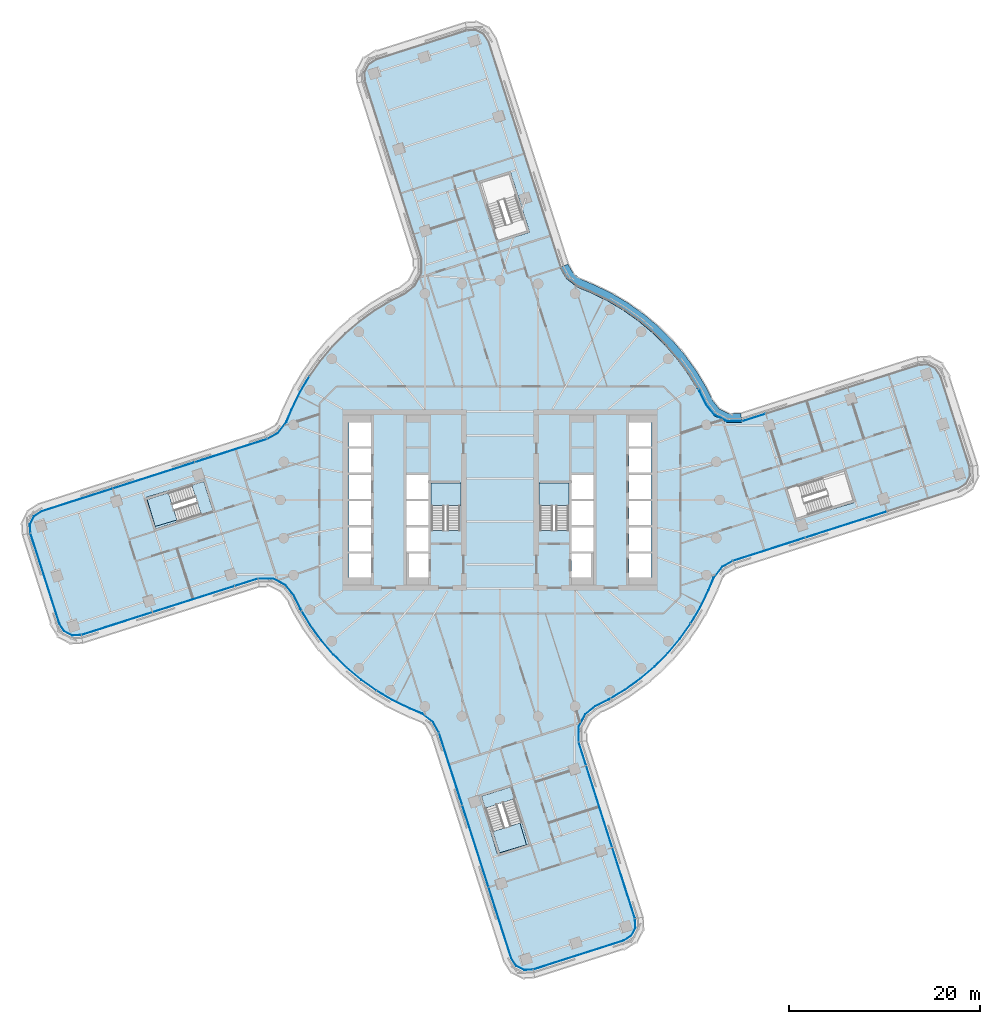
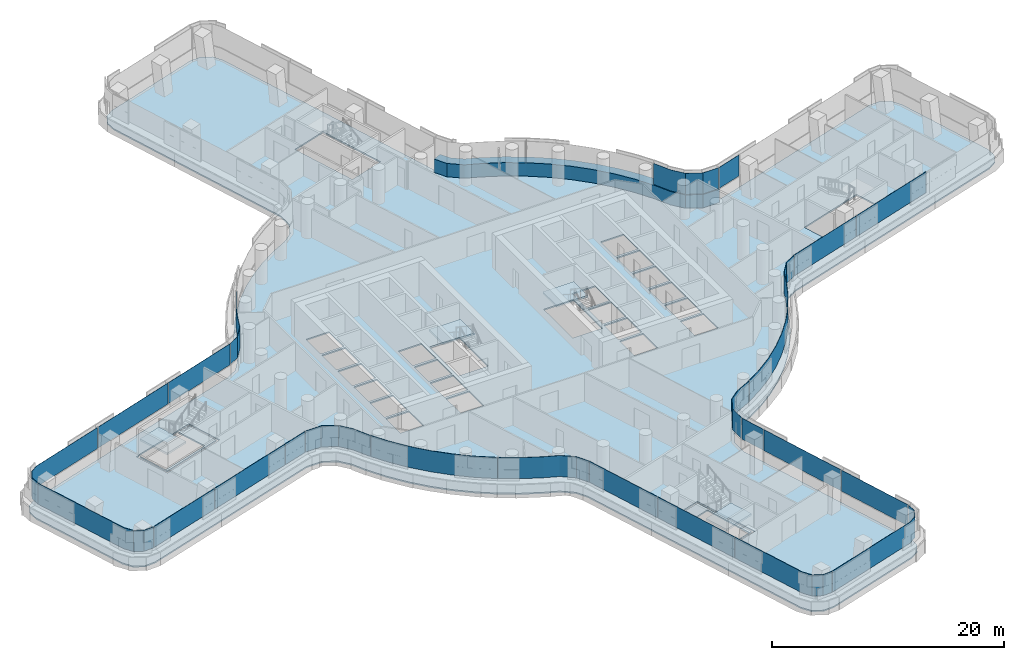
# One storey, part 16 of 30: 25 plates, 7 slabs, 1 member, 16 elements without a shape of their own.
"""IFC4 building model written with IfcOpenShell, lengths in metres."""

from ifc_helpers import new_model, si_unit, direction, frame, origin, place, context, subcontext, project, spatial, polyline, outline, extrude, material, layer, layer_set, type_object, element, aggregate, save


model = new_model("IFC4")

# Units and contexts
model_context = context("Model", 3, precision=1e-05, world=origin(), true_north=direction((0.0, 1.0)))
body_context = subcontext(model_context, "Body", "Model", "MODEL_VIEW")
ifc_project = project(units=[si_unit("LENGTHUNIT", "METRE"), si_unit("AREAUNIT", "SQUARE_METRE"), si_unit("VOLUMEUNIT", "CUBIC_METRE"), si_unit("PLANEANGLEUNIT", "RADIAN"), si_unit("MASSUNIT", "GRAM", prefix="KILO")], contexts=[model_context])

# Site, building, storey
site_placement = place(None, origin())
site = spatial("IfcSite", under=ifc_project, at=site_placement, CompositionType="ELEMENT")
building_placement = place(site_placement, origin())
building = spatial("IfcBuilding", under=site, at=building_placement, Name="Tamarind Cross Interchange Tower", CompositionType="ELEMENT")
storey_placement = place(building_placement, frame((0.0, 0.0, 98.5)))
storey = spatial("IfcBuildingStorey", under=building, at=storey_placement, Name="L23", CompositionType="ELEMENT", Elevation=98.5)

# Curtain wall, member
ifc_material_1 = material(Name="Aluminium 6063-T6", Category="aluminium")
ifc_layer_1 = layer(ifc_material_1, 0.159912109375)
ifc_layer_set_1 = layer_set([ifc_layer_1], Name="Aluminium 6063-T6")
curtain_wall_type = type_object("IfcCurtainWallType", Name="Office curtain wall, 9.0 m bays", PredefinedType="NOTDEFINED", material=ifc_layer_set_1)
curtain_wall_1_placement = place(storey_placement, origin())
curtain_wall_1 = element("IfcCurtainWall", 1, at=curtain_wall_1_placement, inside=storey, type_object=curtain_wall_type, Name="CWS-L23-02", PredefinedType="NOTDEFINED")
ifc_material_2 = material(Name="Aluminium and insulated spandrel panel", Category="aluminium")
member_type = type_object("IfcMemberType", Name="Floor-edge blade transom", PredefinedType="USERDEFINED", material=ifc_material_2)
member_placement = place(storey_placement, origin())
member = element("IfcMember", 2, at=member_placement, type_object=member_type, Name="CWT-L23-02", ObjectType="TRANSOM", PredefinedType="USERDEFINED", context=body_context, shape_type="SweptSolid", body=[
    extrude(outline(polyline([(25.348388671875, 8.137451171875), (23.718017578125, 8.1376953125), (22.364013671875, 8.845458984375), (21.503173828125, 9.9306640625), (20.791015625, 11.367431640625), (19.78125, 13.045654296875), (18.636474609375, 14.634521484375), (17.3642578125, 16.12353515625), (15.973388671875, 17.50244140625), (14.4736328125, 18.76171875), (12.874755859375, 19.892822265625), (11.188232421875, 20.88818359375), (9.421875, 21.7421875), (8.11767578125, 22.278076171875), (6.9208984375, 23.21044921875), (6.284912109375, 24.342529296875), (7.1142578125, 24.7041015625), (7.616943359375, 23.80908203125), (8.57373046875, 23.063720703125), (9.789306640625, 22.564208984375), (11.613525390625, 21.68212890625), (13.3642578125, 20.64892578125), (15.023681640625, 19.474853515625), (16.580810546875, 18.167724609375), (18.0244140625, 16.736572265625), (19.344970703125, 15.19091796875), (20.533203125, 13.54150390625), (21.581298828125, 11.7998046875), (22.267333984375, 10.41552734375), (22.9501953125, 9.554443359375), (23.939208984375, 9.03759765625), (25.20849609375, 9.037353515625), (25.348388671875, 8.137451171875)])), origin(), (0.0, 0.0, 1.0), 1.39990234375),
])

# Slabs
ifc_material_3 = material(Name="Concrete C35", Category="concrete")
ifc_layer_2 = layer(ifc_material_3, 0.139892578125)
ifc_layer_set_2 = layer_set([ifc_layer_2], Name="Concrete C35")
slab_type_1 = type_object("IfcSlabType", Name="Composite slab 140 Concrete C35", PredefinedType="FLOOR", material=ifc_layer_set_2)
slab_1_placement = place(storey_placement, frame((0.0, 0.0, -0.139892578125)))
element("IfcSlab", 3, at=slab_1_placement, inside=storey, type_object=slab_type_1, Name="Floor slab L23", PredefinedType="FLOOR", context=body_context, shape_type="SweptSolid", body=[
    extrude(outline(polyline([(23.41015625, -7.153076171875), (24.463134765625, -6.561279296875), (48.0693359375, 1.000244140625), (48.93994140625, 1.560546875), (49.413818359375, 2.48095703125), (49.364013671875, 3.51513671875), (46.3134765625, 13.03857421875), (45.753173828125, 13.9091796875), (44.832763671875, 14.3828125), (43.798583984375, 14.3330078125), (25.3017578125, 8.4375), (23.791748046875, 8.4375), (22.559326171875, 9.081787109375), (21.7578125, 10.09228515625), (21.054443359375, 11.511474609375), (20.031982421875, 13.2109375), (18.87255859375, 14.820068359375), (17.584228515625, 16.327880859375), (16.17578125, 17.72412109375), (14.656982421875, 18.99951171875), (13.0380859375, 20.14501953125), (11.329833984375, 21.15283203125), (9.54443359375, 22.01611328125), (8.26953125, 22.539794921875), (7.153076171875, 23.41015625), (6.561279296875, 24.463134765625), (-1.000244140625, 48.0693359375), (-1.560546875, 48.93994140625), (-2.48095703125, 49.413818359375), (-3.51513671875, 49.364013671875), (-13.03857421875, 46.3134765625), (-13.9091796875, 45.753173828125), (-14.3828125, 44.832763671875), (-14.3330078125, 43.798583984375), (-8.4375, 25.3017578125), (-8.4375, 23.791748046875), (-9.081787109375, 22.559326171875), (-10.09228515625, 21.7578125), (-11.511474609375, 21.054443359375), (-13.2109375, 20.031982421875), (-14.820068359375, 18.87255859375), (-16.327880859375, 17.584228515625), (-17.72412109375, 16.17578125), (-18.99951171875, 14.656982421875), (-20.14501953125, 13.0380859375), (-21.15283203125, 11.329833984375), (-22.01611328125, 9.54443359375), (-22.539794921875, 8.26953125), (-23.41015625, 7.153076171875), (-24.463134765625, 6.561279296875), (-48.0693359375, -1.000244140625), (-48.93994140625, -1.560546875), (-49.413818359375, -2.48095703125), (-49.364013671875, -3.51513671875), (-46.3134765625, -13.03857421875), (-45.753173828125, -13.9091796875), (-44.832763671875, -14.3828125), (-43.798583984375, -14.3330078125), (-25.3017578125, -8.4375), (-23.791748046875, -8.4375), (-22.559326171875, -9.081787109375), (-21.7578125, -10.09228515625), (-21.054443359375, -11.511474609375), (-20.031982421875, -13.2109375), (-18.87255859375, -14.820068359375), (-17.584228515625, -16.327880859375), (-16.17578125, -17.72412109375), (-14.656982421875, -18.99951171875), (-13.0380859375, -20.14501953125), (-11.329833984375, -21.15283203125), (-9.54443359375, -22.01611328125), (-8.26953125, -22.539794921875), (-7.153076171875, -23.41015625), (-6.561279296875, -24.463134765625), (1.000244140625, -48.0693359375), (1.560546875, -48.93994140625), (2.48095703125, -49.413818359375), (3.51513671875, -49.364013671875), (13.03857421875, -46.3134765625), (13.9091796875, -45.753173828125), (14.3828125, -44.832763671875), (14.3330078125, -43.798583984375), (8.4375, -25.3017578125), (8.4375, -23.791748046875), (9.081787109375, -22.559326171875), (10.09228515625, -21.7578125), (11.511474609375, -21.054443359375), (13.2109375, -20.031982421875), (14.820068359375, -18.87255859375), (16.327880859375, -17.584228515625), (17.72412109375, -16.17578125), (18.99951171875, -14.656982421875), (20.14501953125, -13.0380859375), (21.15283203125, -11.329833984375), (22.01611328125, -9.54443359375), (22.539794921875, -8.26953125), (23.41015625, -7.153076171875)]), holes=[polyline([(-13.5, -8.125), (-15.800048828125, -8.125), (-15.800048828125, -5.625), (-13.5, -5.625), (-13.5, -8.125)]), polyline([(-13.5, -5.375), (-15.800048828125, -5.375), (-15.800048828125, -2.875), (-13.5, -2.875), (-13.5, -5.375)]), polyline([(-7.5, -5.375), (-9.800048828125, -5.375), (-9.800048828125, -2.875), (-7.5, -2.875), (-7.5, -5.375)]), polyline([(-30.892578125, 2.19189453125), (-30.83154296875, 2.001220703125), (-29.855224609375, -1.046142578125), (-29.794189453125, -1.236572265625), (-36.1748046875, -3.280517578125), (-36.23583984375, -3.090087890625), (-37.212158203125, -0.04248046875), (-37.273193359375, 0.14794921875), (-37.00146484375, 0.23486328125), (-37.018798828125, 0.292236328125), (-33.8681640625, 1.238525390625), (-30.892578125, 2.19189453125)]), polyline([(-13.5, -2.625), (-15.800048828125, -2.625), (-15.800048828125, -0.125), (-13.5, -0.125), (-13.5, -2.625)]), polyline([(-7.5, -2.625), (-9.800048828125, -2.625), (-9.800048828125, -0.125), (-7.5, -0.125), (-7.5, -2.625)]), polyline([(-13.5, 0.125), (-15.800048828125, 0.125), (-15.800048828125, 2.625), (-13.5, 2.625), (-13.5, 0.125)]), polyline([(-7.5, 0.125), (-9.800048828125, 0.125), (-9.800048828125, 2.625), (-7.5, 2.625), (-7.5, 0.125)]), polyline([(-13.5, 2.875), (-15.800048828125, 2.875), (-15.800048828125, 5.375), (-13.5, 5.375), (-13.5, 2.875)]), polyline([(-15.800048828125, 5.625), (-15.800048828125, 8.125), (-13.5, 8.125), (-13.5, 5.625), (-15.800048828125, 5.625)]), polyline([(-2.19189453125, -30.892578125), (-2.001220703125, -30.83154296875), (1.046142578125, -29.855224609375), (1.236572265625, -29.794189453125), (3.280517578125, -36.1748046875), (3.090087890625, -36.23583984375), (0.04248046875, -37.212158203125), (-0.14794921875, -37.273193359375), (-0.23486328125, -37.00146484375), (-0.292236328125, -37.018798828125), (-1.238525390625, -33.8681640625), (-2.19189453125, -30.892578125)]), polyline([(-9.800048828125, -8.125), (-9.800048828125, -5.625), (-7.5, -5.625), (-7.5, -8.125), (-9.800048828125, -8.125)]), polyline([(9.800048828125, -2.875), (9.800048828125, -5.375), (7.5, -5.375), (7.5, -2.875), (9.800048828125, -2.875)]), polyline([(-4.199951171875, 1.800048828125), (-4.199951171875, -3.18798828125), (-7.14990234375, -3.18798828125), (-7.14990234375, 1.800048828125), (-4.199951171875, 1.800048828125)]), polyline([(7.14990234375, 1.800048828125), (7.14990234375, -3.18798828125), (4.199951171875, -3.18798828125), (4.199951171875, 1.800048828125), (7.14990234375, 1.800048828125)]), polyline([(3.10693359375, 28.035400390625), (2.91650390625, 27.974609375), (-0.131103515625, 26.998291015625), (-0.321533203125, 26.937255859375), (-2.365478515625, 33.31787109375), (-2.1748046875, 33.37890625), (0.87255859375, 34.35498046875), (1.06298828125, 34.416015625), (1.150146484375, 34.14404296875), (1.1552734375, 34.1455078125), (1.238525390625, 33.8681640625), (3.10693359375, 28.035400390625)]), polyline([(7.5, -5.625), (9.800048828125, -5.625), (9.800048828125, -8.125), (7.5, -8.125), (7.5, -5.625)]), polyline([(15.800048828125, -5.625), (15.800048828125, -8.125), (13.5, -8.125), (13.5, -5.625), (15.800048828125, -5.625)]), polyline([(15.800048828125, -2.875), (15.800048828125, -5.375), (13.5, -5.375), (13.5, -2.875), (15.800048828125, -2.875)]), polyline([(7.5, -0.125), (9.800048828125, -0.125), (9.800048828125, -2.625), (7.5, -2.625), (7.5, -0.125)]), polyline([(13.5, -0.125), (15.800048828125, -0.125), (15.800048828125, -2.625), (13.5, -2.625), (13.5, -0.125)]), polyline([(30.892578125, -2.19189453125), (30.83154296875, -2.001220703125), (29.855224609375, 1.046142578125), (29.794189453125, 1.236572265625), (36.1748046875, 3.280517578125), (36.23583984375, 3.090087890625), (37.212158203125, 0.04248046875), (37.273193359375, -0.14794921875), (37.00146484375, -0.23486328125), (37.018798828125, -0.292236328125), (33.8681640625, -1.238525390625), (30.892578125, -2.19189453125)]), polyline([(7.5, 2.625), (9.800048828125, 2.625), (9.800048828125, 0.125), (7.5, 0.125), (7.5, 2.625)]), polyline([(15.800048828125, 2.625), (15.800048828125, 0.125), (13.5, 0.125), (13.5, 2.625), (15.800048828125, 2.625)]), polyline([(15.800048828125, 5.375), (15.800048828125, 2.875), (13.5, 2.875), (13.5, 5.375), (15.800048828125, 5.375)]), polyline([(15.800048828125, 8.125), (15.800048828125, 5.625), (13.5, 5.625), (13.5, 8.125), (15.800048828125, 8.125)])]), origin(), (0.0, 0.0, 1.0), 0.139892578125),
])
slab_2_placement = place(storey_placement, frame((0.0, 0.0, -0.139892578125)))
element("IfcSlab", 4, at=slab_2_placement, inside=storey, type_object=slab_type_1, Name="Floor slab L23", PredefinedType="FLOOR", context=body_context, shape_type="SweptSolid", body=[
    extrude(outline(polyline([(-37.021484375, 0.018310546875), (-36.04541015625, -3.029052734375), (-30.0458984375, -1.107177734375), (-31.02197265625, 1.940185546875), (-32.271484375, 1.5400390625), (-31.34716796875, -1.345458984375), (-36.098388671875, -2.7724609375), (-36.944091796875, 0.043212890625), (-37.021484375, 0.018310546875)])), origin(), (0.0, 0.0, 1.0), 0.139892578125),
])
slab_3_placement = place(storey_placement, frame((0.0, 0.0, -0.139892578125)))
element("IfcSlab", 5, at=slab_3_placement, inside=storey, type_object=slab_type_1, Name="Floor slab L23", PredefinedType="FLOOR", context=body_context, shape_type="SweptSolid", body=[
    extrude(outline(polyline([(-0.018310546875, -37.021484375), (3.029052734375, -36.04541015625), (1.107177734375, -30.0458984375), (-1.940185546875, -31.02197265625), (-1.5400390625, -32.271484375), (1.345458984375, -31.34716796875), (2.7724609375, -36.098388671875), (-0.043212890625, -36.944091796875), (-0.018310546875, -37.021484375)])), origin(), (0.0, 0.0, 1.0), 0.139892578125),
])

# Stair, slab
ifc_material_4 = material(Name="Exit stair")
stair_type = type_object("IfcStairType", Name="Exit stair", PredefinedType="HALF_TURN_STAIR", material=ifc_material_4)
stair_1_placement = place(storey_placement, origin())
stair_1 = element("IfcStair", 6, at=stair_1_placement, inside=storey, type_object=stair_type, Name="L23 exit stair ST1", PredefinedType="HALF_TURN_STAIR")
ifc_material_5 = material(Name="Concrete C40", Category="concrete")
ifc_layer_3 = layer(ifc_material_5, 0.199951171875)
ifc_layer_set_3 = layer_set([ifc_layer_3], Name="Concrete C40")
slab_type_2 = type_object("IfcSlabType", Name="Stair landing", PredefinedType="LANDING", material=ifc_layer_set_3)
slab_4_placement = place(storey_placement, frame((0.0, 0.0, 1.675048828125)))
slab_4 = element("IfcSlab", 7, at=slab_4_placement, type_object=slab_type_2, Name="ST1 landing 1", PredefinedType="LANDING", context=body_context, shape_type="SweptSolid", body=[
    extrude(outline(polyline([(-4.10009765625, -0.60009765625), (-4.10009765625, 1.800048828125), (-7.199951171875, 1.800048828125), (-7.199951171875, -0.60009765625), (-4.10009765625, -0.60009765625)])), origin(), (0.0, 0.0, 1.0), 0.199951171875),
])
aggregate(stair_1, [slab_4])

stair_2_placement = place(storey_placement, origin())
stair_2 = element("IfcStair", 8, at=stair_2_placement, inside=storey, type_object=stair_type, Name="L23 exit stair ST2", PredefinedType="HALF_TURN_STAIR")
slab_5_placement = place(storey_placement, frame((0.0, 0.0, 1.675048828125)))
slab_5 = element("IfcSlab", 9, at=slab_5_placement, type_object=slab_type_2, Name="ST2 landing 1", PredefinedType="LANDING", context=body_context, shape_type="SweptSolid", body=[
    extrude(outline(polyline([(7.199951171875, -0.60009765625), (7.199951171875, 1.800048828125), (4.10009765625, 1.800048828125), (4.10009765625, -0.60009765625), (7.199951171875, -0.60009765625)])), origin(), (0.0, 0.0, 1.0), 0.199951171875),
])
aggregate(stair_2, [slab_5])

stair_3_placement = place(storey_placement, origin())
stair_3 = element("IfcStair", 10, at=stair_3_placement, inside=storey, type_object=stair_type, Name="L23 exit stair ST5", PredefinedType="HALF_TURN_STAIR")
slab_6_placement = place(storey_placement, frame((0.0, 0.0, 1.675048828125)))
slab_6 = element("IfcSlab", 11, at=slab_6_placement, type_object=slab_type_2, Name="ST5 landing 1", PredefinedType="LANDING", context=body_context, shape_type="SweptSolid", body=[
    extrude(outline(polyline([(-34.724609375, 0.754150390625), (-37.021728515625, 0.018310546875), (-36.04541015625, -3.029052734375), (-33.74853515625, -2.293212890625), (-34.724609375, 0.754150390625)])), origin(), (0.0, 0.0, 1.0), 0.199951171875),
])
aggregate(stair_3, [slab_6])

stair_4_placement = place(storey_placement, origin())
stair_4 = element("IfcStair", 12, at=stair_4_placement, inside=storey, type_object=stair_type, Name="L23 exit stair ST6", PredefinedType="HALF_TURN_STAIR")
slab_7_placement = place(storey_placement, frame((0.0, 0.0, 1.675048828125)))
slab_7 = element("IfcSlab", 13, at=slab_7_placement, type_object=slab_type_2, Name="ST6 landing 1", PredefinedType="LANDING", context=body_context, shape_type="SweptSolid", body=[
    extrude(outline(polyline([(-0.754150390625, -34.724609375), (-0.018310546875, -37.021728515625), (3.029052734375, -36.04541015625), (2.293212890625, -33.74853515625), (-0.754150390625, -34.724609375)])), origin(), (0.0, 0.0, 1.0), 0.199951171875),
])
aggregate(stair_4, [slab_7])

# Curtain wall, plate
curtain_wall_2_placement = place(storey_placement, origin())
curtain_wall_2 = element("IfcCurtainWall", 14, at=curtain_wall_2_placement, inside=storey, type_object=curtain_wall_type, Name="CWS-L23-01", PredefinedType="NOTDEFINED")
ifc_material_6 = material(Name="Laminated low-e glass 8+1.52+8", Category="glass")
ifc_layer_4 = layer(ifc_material_6, 0.028076171875)
ifc_layer_set_4 = layer_set([ifc_layer_4], Name="Laminated low-e glass 8+1.52+8")
plate_type = type_object("IfcPlateType", Name="Vision panel CW1", PredefinedType="CURTAIN_PANEL", material=ifc_layer_set_4)
plate_1_placement = place(storey_placement, frame((0.0, 0.0, 1.39990234375)))
plate_1 = element("IfcPlate", 15, at=plate_1_placement, type_object=plate_type, Name="CWP-L23-01-02", PredefinedType="CURTAIN_PANEL", context=body_context, shape_type="SweptSolid", body=[
    extrude(outline(polyline([(27.76904296875, 8.999267578125), (25.36572265625, 8.233154296875), (25.357177734375, 8.259765625), (27.760498046875, 9.02587890625), (27.76904296875, 8.999267578125)])), origin(), (0.0, 0.0, 1.0), 2.210205078125),
])
aggregate(curtain_wall_2, [plate_1])

# Plate
plate_2_placement = place(storey_placement, frame((0.0, 0.0, 1.39990234375)))
plate_2 = element("IfcPlate", 16, at=plate_2_placement, type_object=plate_type, Name="CWP-L23-02-00", PredefinedType="CURTAIN_PANEL", context=body_context, shape_type="SweptSolid", body=[
    extrude(outline(polyline([(25.302734375, 8.223388671875), (23.739013671875, 8.2236328125), (22.419921875, 8.913330078125), (21.576171875, 9.97705078125), (20.86669921875, 11.40869140625), (20.766357421875, 11.5751953125), (20.79052734375, 11.589599609375), (20.89111328125, 11.422119140625), (21.599853515625, 9.9921875), (22.438232421875, 8.935302734375), (23.74609375, 8.251708984375), (25.302734375, 8.25146484375), (25.302734375, 8.223388671875)])), origin(), (0.0, 0.0, 1.0), 2.210205078125),
])

aggregate(curtain_wall_1, [plate_2, member])

# Curtain wall, plate
curtain_wall_3_placement = place(storey_placement, origin())
curtain_wall_3 = element("IfcCurtainWall", 17, at=curtain_wall_3_placement, inside=storey, type_object=curtain_wall_type, Name="CWS-L23-06", PredefinedType="NOTDEFINED")
plate_3_placement = place(storey_placement, frame((0.0, 0.0, 1.39990234375)))
plate_3 = element("IfcPlate", 18, at=plate_3_placement, type_object=plate_type, Name="CWP-L23-06-02", PredefinedType="CURTAIN_PANEL", context=body_context, shape_type="SweptSolid", body=[
    extrude(outline(polyline([(-19.971923828125, 12.909912109375), (-20.9638671875, 11.228759765625), (-21.820556640625, 9.45703125), (-22.35302734375, 8.1611328125), (-23.267822265625, 6.987548828125), (-24.349853515625, 6.379638671875), (-24.363525390625, 6.404052734375), (-23.286376953125, 7.00927734375), (-22.37744140625, 8.17529296875), (-21.84619140625, 9.468505859375), (-20.98876953125, 11.241943359375), (-19.99609375, 12.924072265625), (-19.971923828125, 12.909912109375)])), origin(), (0.0, 0.0, 1.0), 2.210205078125),
])
aggregate(curtain_wall_3, [plate_3])

# Curtain wall, plates
curtain_wall_4_placement = place(storey_placement, origin())
curtain_wall_4 = element("IfcCurtainWall", 19, at=curtain_wall_4_placement, inside=storey, type_object=curtain_wall_type, Name="CWS-L23-07", PredefinedType="NOTDEFINED")
plate_4_placement = place(storey_placement, frame((0.0, 0.0, 1.39990234375)))
plate_4 = element("IfcPlate", 20, at=plate_4_placement, type_object=plate_type, Name="CWP-L23-07-00", PredefinedType="CURTAIN_PANEL", context=body_context, shape_type="SweptSolid", body=[
    extrude(outline(polyline([(-24.406982421875, 6.3544921875), (-31.9248046875, 3.946533203125), (-31.933349609375, 3.97314453125), (-24.41552734375, 6.38134765625), (-24.406982421875, 6.3544921875)])), origin(), (0.0, 0.0, 1.0), 2.210205078125),
])
plate_5_placement = place(storey_placement, frame((0.0, 0.0, 1.39990234375)))
plate_5 = element("IfcPlate", 21, at=plate_5_placement, type_object=plate_type, Name="CWP-L23-07-01", PredefinedType="CURTAIN_PANEL", context=body_context, shape_type="SweptSolid", body=[
    extrude(outline(polyline([(-31.98193359375, 3.92822265625), (-40.49365234375, 1.20166015625), (-40.502197265625, 1.228271484375), (-31.990478515625, 3.954833984375), (-31.98193359375, 3.92822265625)])), origin(), (0.0, 0.0, 1.0), 2.210205078125),
])
plate_6_placement = place(storey_placement, frame((0.0, 0.0, 1.39990234375)))
plate_6 = element("IfcPlate", 22, at=plate_6_placement, type_object=plate_type, Name="CWP-L23-07-02", PredefinedType="CURTAIN_PANEL", context=body_context, shape_type="SweptSolid", body=[
    extrude(outline(polyline([(-40.55078125, 1.183349609375), (-47.977294921875, -1.195556640625), (-48.77587890625, -1.70947265625), (-49.197265625, -2.528076171875), (-49.15283203125, -3.448486328125), (-49.180908203125, -3.449951171875), (-49.2255859375, -2.52197265625), (-48.79736328125, -1.68994140625), (-47.9892578125, -1.169921875), (-40.559326171875, 1.2099609375), (-40.55078125, 1.183349609375)])), origin(), (0.0, 0.0, 1.0), 2.210205078125),
])
aggregate(curtain_wall_4, [plate_4, plate_5, plate_6])

# Curtain wall, plate
curtain_wall_5_placement = place(storey_placement, origin())
curtain_wall_5 = element("IfcCurtainWall", 23, at=curtain_wall_5_placement, inside=storey, type_object=curtain_wall_type, Name="CWS-L23-08", PredefinedType="NOTDEFINED")
plate_7_placement = place(storey_placement, frame((0.0, 0.0, 1.39990234375)))
plate_7 = element("IfcPlate", 24, at=plate_7_placement, type_object=plate_type, Name="CWP-L23-08-00", PredefinedType="CURTAIN_PANEL", context=body_context, shape_type="SweptSolid", body=[
    extrude(outline(polyline([(-49.14306640625, -3.50341796875), (-46.1181640625, -12.9462890625), (-45.604248046875, -13.7451171875), (-44.78564453125, -14.166259765625), (-43.864990234375, -14.1220703125), (-43.86376953125, -14.14990234375), (-44.791748046875, -14.19482421875), (-45.623779296875, -13.7666015625), (-46.143798828125, -12.95849609375), (-49.169677734375, -3.511962890625), (-49.14306640625, -3.50341796875)])), origin(), (0.0, 0.0, 1.0), 2.210205078125),
])
aggregate(curtain_wall_5, [plate_7])

# Curtain wall, plates
curtain_wall_6_placement = place(storey_placement, origin())
curtain_wall_6 = element("IfcCurtainWall", 25, at=curtain_wall_6_placement, inside=storey, type_object=curtain_wall_type, Name="CWS-L23-09", PredefinedType="NOTDEFINED")
plate_8_placement = place(storey_placement, frame((0.0, 0.0, 1.39990234375)))
plate_8 = element("IfcPlate", 26, at=plate_8_placement, type_object=plate_type, Name="CWP-L23-09-00", PredefinedType="CURTAIN_PANEL", context=body_context, shape_type="SweptSolid", body=[
    extrude(outline(polyline([(-43.81005859375, -14.112060546875), (-36.4033203125, -11.751220703125), (-36.394775390625, -11.77783203125), (-43.801513671875, -14.138671875), (-43.81005859375, -14.112060546875)])), origin(), (0.0, 0.0, 1.0), 2.210205078125),
])
plate_9_placement = place(storey_placement, frame((0.0, 0.0, 1.39990234375)))
plate_9 = element("IfcPlate", 27, at=plate_9_placement, type_object=plate_type, Name="CWP-L23-09-01", PredefinedType="CURTAIN_PANEL", context=body_context, shape_type="SweptSolid", body=[
    extrude(outline(polyline([(-36.34619140625, -11.733154296875), (-27.826171875, -9.017333984375), (-27.817626953125, -9.044189453125), (-36.337646484375, -11.759765625), (-36.34619140625, -11.733154296875)])), origin(), (0.0, 0.0, 1.0), 2.210205078125),
])
plate_10_placement = place(storey_placement, frame((0.0, 0.0, 1.39990234375)))
plate_10 = element("IfcPlate", 28, at=plate_10_placement, type_object=plate_type, Name="CWP-L23-09-02", PredefinedType="CURTAIN_PANEL", context=body_context, shape_type="SweptSolid", body=[
    extrude(outline(polyline([(-27.76904296875, -8.999267578125), (-25.36572265625, -8.233154296875), (-25.357177734375, -8.259765625), (-27.760498046875, -9.02587890625), (-27.76904296875, -8.999267578125)])), origin(), (0.0, 0.0, 1.0), 2.210205078125),
])
aggregate(curtain_wall_6, [plate_8, plate_9, plate_10])

curtain_wall_7_placement = place(storey_placement, origin())
curtain_wall_7 = element("IfcCurtainWall", 29, at=curtain_wall_7_placement, inside=storey, type_object=curtain_wall_type, Name="CWS-L23-10", PredefinedType="NOTDEFINED")
plate_11_placement = place(storey_placement, frame((0.0, 0.0, 1.39990234375)))
plate_11 = element("IfcPlate", 30, at=plate_11_placement, type_object=plate_type, Name="CWP-L23-10-00", PredefinedType="CURTAIN_PANEL", context=body_context, shape_type="SweptSolid", body=[
    extrude(outline(polyline([(-25.302734375, -8.223388671875), (-23.739013671875, -8.2236328125), (-22.419921875, -8.913330078125), (-21.576171875, -9.97705078125), (-20.86669921875, -11.40869140625), (-20.766357421875, -11.5751953125), (-20.79052734375, -11.589599609375), (-20.89111328125, -11.422119140625), (-21.599853515625, -9.9921875), (-22.438232421875, -8.935302734375), (-23.74609375, -8.251708984375), (-25.302734375, -8.25146484375), (-25.302734375, -8.223388671875)])), origin(), (0.0, 0.0, 1.0), 2.210205078125),
])
plate_12_placement = place(storey_placement, frame((0.0, 0.0, 1.39990234375)))
plate_12 = element("IfcPlate", 31, at=plate_12_placement, type_object=plate_type, Name="CWP-L23-10-01", PredefinedType="CURTAIN_PANEL", context=body_context, shape_type="SweptSolid", body=[
    extrude(outline(polyline([(-20.735595703125, -11.62646484375), (-19.85302734375, -13.093017578125), (-18.7041015625, -14.687744140625), (-17.42724609375, -16.18212890625), (-16.031494140625, -17.56591796875), (-14.526123046875, -18.829833984375), (-12.95849609375, -19.93896484375), (-12.974609375, -19.9619140625), (-14.543212890625, -18.85205078125), (-16.05029296875, -17.586669921875), (-17.44775390625, -16.201171875), (-18.72607421875, -14.705078125), (-19.87646484375, -13.1083984375), (-20.759521484375, -11.640869140625), (-20.735595703125, -11.62646484375)])), origin(), (0.0, 0.0, 1.0), 2.210205078125),
])
plate_13_placement = place(storey_placement, frame((0.0, 0.0, 1.39990234375)))
plate_13 = element("IfcPlate", 32, at=plate_13_placement, type_object=plate_type, Name="CWP-L23-10-02", PredefinedType="CURTAIN_PANEL", context=body_context, shape_type="SweptSolid", body=[
    extrude(outline(polyline([(-12.909912109375, -19.971923828125), (-11.228759765625, -20.9638671875), (-9.45703125, -21.820556640625), (-8.1611328125, -22.35302734375), (-6.987548828125, -23.267822265625), (-6.379638671875, -24.349853515625), (-6.404052734375, -24.363525390625), (-7.00927734375, -23.286376953125), (-8.17529296875, -22.37744140625), (-9.468505859375, -21.84619140625), (-11.241943359375, -20.98876953125), (-12.924072265625, -19.99609375), (-12.909912109375, -19.971923828125)])), origin(), (0.0, 0.0, 1.0), 2.210205078125),
])
aggregate(curtain_wall_7, [plate_11, plate_12, plate_13])

curtain_wall_8_placement = place(storey_placement, origin())
curtain_wall_8 = element("IfcCurtainWall", 33, at=curtain_wall_8_placement, inside=storey, type_object=curtain_wall_type, Name="CWS-L23-11", PredefinedType="NOTDEFINED")
plate_14_placement = place(storey_placement, frame((0.0, 0.0, 1.39990234375)))
plate_14 = element("IfcPlate", 34, at=plate_14_placement, type_object=plate_type, Name="CWP-L23-11-00", PredefinedType="CURTAIN_PANEL", context=body_context, shape_type="SweptSolid", body=[
    extrude(outline(polyline([(-6.3544921875, -24.406982421875), (-3.946533203125, -31.9248046875), (-3.97314453125, -31.933349609375), (-6.38134765625, -24.41552734375), (-6.3544921875, -24.406982421875)])), origin(), (0.0, 0.0, 1.0), 2.210205078125),
])
plate_15_placement = place(storey_placement, frame((0.0, 0.0, 1.39990234375)))
plate_15 = element("IfcPlate", 35, at=plate_15_placement, type_object=plate_type, Name="CWP-L23-11-01", PredefinedType="CURTAIN_PANEL", context=body_context, shape_type="SweptSolid", body=[
    extrude(outline(polyline([(-3.92822265625, -31.98193359375), (-1.20166015625, -40.49365234375), (-1.228271484375, -40.502197265625), (-3.954833984375, -31.990478515625), (-3.92822265625, -31.98193359375)])), origin(), (0.0, 0.0, 1.0), 2.210205078125),
])
plate_16_placement = place(storey_placement, frame((0.0, 0.0, 1.39990234375)))
plate_16 = element("IfcPlate", 36, at=plate_16_placement, type_object=plate_type, Name="CWP-L23-11-02", PredefinedType="CURTAIN_PANEL", context=body_context, shape_type="SweptSolid", body=[
    extrude(outline(polyline([(-1.183349609375, -40.55078125), (1.195556640625, -47.977294921875), (1.70947265625, -48.77587890625), (2.528076171875, -49.197265625), (3.448486328125, -49.15283203125), (3.449951171875, -49.180908203125), (2.52197265625, -49.2255859375), (1.68994140625, -48.79736328125), (1.169921875, -47.9892578125), (-1.2099609375, -40.559326171875), (-1.183349609375, -40.55078125)])), origin(), (0.0, 0.0, 1.0), 2.210205078125),
])
aggregate(curtain_wall_8, [plate_14, plate_15, plate_16])

# Curtain wall, plate
curtain_wall_9_placement = place(storey_placement, origin())
curtain_wall_9 = element("IfcCurtainWall", 37, at=curtain_wall_9_placement, inside=storey, type_object=curtain_wall_type, Name="CWS-L23-12", PredefinedType="NOTDEFINED")
plate_17_placement = place(storey_placement, frame((0.0, 0.0, 1.39990234375)))
plate_17 = element("IfcPlate", 38, at=plate_17_placement, type_object=plate_type, Name="CWP-L23-12-00", PredefinedType="CURTAIN_PANEL", context=body_context, shape_type="SweptSolid", body=[
    extrude(outline(polyline([(3.50341796875, -49.14306640625), (12.9462890625, -46.1181640625), (13.7451171875, -45.604248046875), (14.166259765625, -44.78564453125), (14.1220703125, -43.864990234375), (14.14990234375, -43.86376953125), (14.19482421875, -44.791748046875), (13.7666015625, -45.623779296875), (12.95849609375, -46.143798828125), (3.511962890625, -49.169677734375), (3.50341796875, -49.14306640625)])), origin(), (0.0, 0.0, 1.0), 2.210205078125),
])
aggregate(curtain_wall_9, [plate_17])

# Curtain wall, plates
curtain_wall_10_placement = place(storey_placement, origin())
curtain_wall_10 = element("IfcCurtainWall", 39, at=curtain_wall_10_placement, inside=storey, type_object=curtain_wall_type, Name="CWS-L23-13", PredefinedType="NOTDEFINED")
plate_18_placement = place(storey_placement, frame((0.0, 0.0, 1.39990234375)))
plate_18 = element("IfcPlate", 40, at=plate_18_placement, type_object=plate_type, Name="CWP-L23-13-00", PredefinedType="CURTAIN_PANEL", context=body_context, shape_type="SweptSolid", body=[
    extrude(outline(polyline([(14.112060546875, -43.81005859375), (11.751220703125, -36.4033203125), (11.77783203125, -36.394775390625), (14.138671875, -43.801513671875), (14.112060546875, -43.81005859375)])), origin(), (0.0, 0.0, 1.0), 2.210205078125),
])
plate_19_placement = place(storey_placement, frame((0.0, 0.0, 1.39990234375)))
plate_19 = element("IfcPlate", 41, at=plate_19_placement, type_object=plate_type, Name="CWP-L23-13-01", PredefinedType="CURTAIN_PANEL", context=body_context, shape_type="SweptSolid", body=[
    extrude(outline(polyline([(11.733154296875, -36.34619140625), (9.017333984375, -27.826171875), (9.044189453125, -27.817626953125), (11.759765625, -36.337646484375), (11.733154296875, -36.34619140625)])), origin(), (0.0, 0.0, 1.0), 2.210205078125),
])
plate_20_placement = place(storey_placement, frame((0.0, 0.0, 1.39990234375)))
plate_20 = element("IfcPlate", 42, at=plate_20_placement, type_object=plate_type, Name="CWP-L23-13-02", PredefinedType="CURTAIN_PANEL", context=body_context, shape_type="SweptSolid", body=[
    extrude(outline(polyline([(8.999267578125, -27.76904296875), (8.233154296875, -25.36572265625), (8.259765625, -25.357177734375), (9.02587890625, -27.760498046875), (8.999267578125, -27.76904296875)])), origin(), (0.0, 0.0, 1.0), 2.210205078125),
])
aggregate(curtain_wall_10, [plate_18, plate_19, plate_20])

curtain_wall_11_placement = place(storey_placement, origin())
curtain_wall_11 = element("IfcCurtainWall", 43, at=curtain_wall_11_placement, inside=storey, type_object=curtain_wall_type, Name="CWS-L23-14", PredefinedType="NOTDEFINED")
plate_21_placement = place(storey_placement, frame((0.0, 0.0, 1.39990234375)))
plate_21 = element("IfcPlate", 44, at=plate_21_placement, type_object=plate_type, Name="CWP-L23-14-00", PredefinedType="CURTAIN_PANEL", context=body_context, shape_type="SweptSolid", body=[
    extrude(outline(polyline([(8.223388671875, -25.302734375), (8.2236328125, -23.739013671875), (8.913330078125, -22.419921875), (9.97705078125, -21.576171875), (11.40869140625, -20.86669921875), (11.5751953125, -20.766357421875), (11.589599609375, -20.79052734375), (11.422119140625, -20.89111328125), (9.9921875, -21.599853515625), (8.935302734375, -22.438232421875), (8.251708984375, -23.74609375), (8.25146484375, -25.302734375), (8.223388671875, -25.302734375)])), origin(), (0.0, 0.0, 1.0), 2.210205078125),
])
plate_22_placement = place(storey_placement, frame((0.0, 0.0, 1.39990234375)))
plate_22 = element("IfcPlate", 45, at=plate_22_placement, type_object=plate_type, Name="CWP-L23-14-01", PredefinedType="CURTAIN_PANEL", context=body_context, shape_type="SweptSolid", body=[
    extrude(outline(polyline([(11.62646484375, -20.735595703125), (13.093017578125, -19.85302734375), (14.687744140625, -18.7041015625), (16.18212890625, -17.42724609375), (17.56591796875, -16.031494140625), (18.829833984375, -14.526123046875), (19.93896484375, -12.95849609375), (19.9619140625, -12.974609375), (18.85205078125, -14.543212890625), (17.586669921875, -16.05029296875), (16.201171875, -17.44775390625), (14.705078125, -18.72607421875), (13.1083984375, -19.87646484375), (11.640869140625, -20.759521484375), (11.62646484375, -20.735595703125)])), origin(), (0.0, 0.0, 1.0), 2.210205078125),
])
plate_23_placement = place(storey_placement, frame((0.0, 0.0, 1.39990234375)))
plate_23 = element("IfcPlate", 46, at=plate_23_placement, type_object=plate_type, Name="CWP-L23-14-02", PredefinedType="CURTAIN_PANEL", context=body_context, shape_type="SweptSolid", body=[
    extrude(outline(polyline([(19.971923828125, -12.909912109375), (20.9638671875, -11.228759765625), (21.820556640625, -9.45703125), (22.35302734375, -8.1611328125), (23.267822265625, -6.987548828125), (24.349853515625, -6.379638671875), (24.363525390625, -6.404052734375), (23.286376953125, -7.00927734375), (22.37744140625, -8.17529296875), (21.84619140625, -9.468505859375), (20.98876953125, -11.241943359375), (19.99609375, -12.924072265625), (19.971923828125, -12.909912109375)])), origin(), (0.0, 0.0, 1.0), 2.210205078125),
])
aggregate(curtain_wall_11, [plate_21, plate_22, plate_23])

curtain_wall_12_placement = place(storey_placement, origin())
curtain_wall_12 = element("IfcCurtainWall", 47, at=curtain_wall_12_placement, inside=storey, type_object=curtain_wall_type, Name="CWS-L23-15", PredefinedType="NOTDEFINED")
plate_24_placement = place(storey_placement, frame((0.0, 0.0, 1.39990234375)))
plate_24 = element("IfcPlate", 48, at=plate_24_placement, type_object=plate_type, Name="CWP-L23-15-00", PredefinedType="CURTAIN_PANEL", context=body_context, shape_type="SweptSolid", body=[
    extrude(outline(polyline([(24.406982421875, -6.3544921875), (31.9248046875, -3.946533203125), (31.933349609375, -3.97314453125), (24.41552734375, -6.38134765625), (24.406982421875, -6.3544921875)])), origin(), (0.0, 0.0, 1.0), 2.210205078125),
])
plate_25_placement = place(storey_placement, frame((0.0, 0.0, 1.39990234375)))
plate_25 = element("IfcPlate", 49, at=plate_25_placement, type_object=plate_type, Name="CWP-L23-15-01", PredefinedType="CURTAIN_PANEL", context=body_context, shape_type="SweptSolid", body=[
    extrude(outline(polyline([(31.98193359375, -3.92822265625), (40.49365234375, -1.20166015625), (40.502197265625, -1.228271484375), (31.990478515625, -3.954833984375), (31.98193359375, -3.92822265625)])), origin(), (0.0, 0.0, 1.0), 2.210205078125),
])
aggregate(curtain_wall_12, [plate_24, plate_25])

save(model, "model.ifc")
